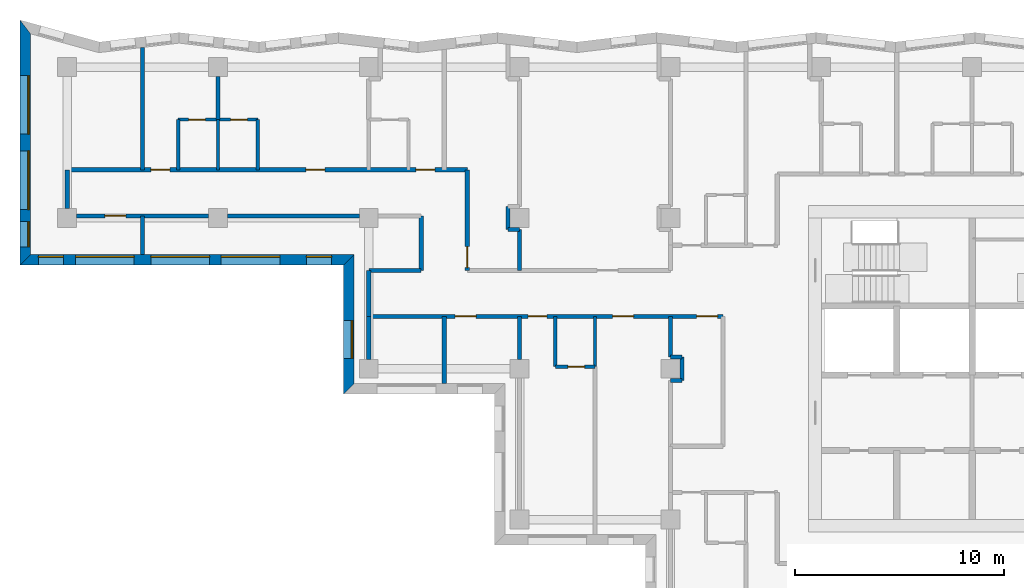
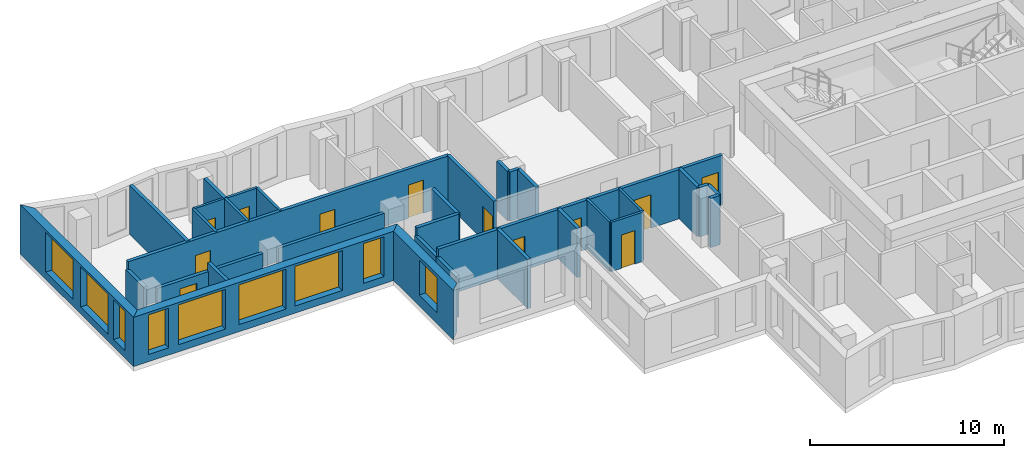
# One storey, part 4 of 12: 32 walls, 12 doors, 9 windows, 21 openings.
"""IFC4 building model written with IfcOpenShell, lengths in metres."""

from ifc_helpers import new_model, si_unit, direction, frame, frame_2d, origin, place, context, subcontext, project, spatial, polyline, rectangle, outline, extrude, material, layer, layer_set, type_object, element, fill, save


model = new_model("IFC4")

# Units and contexts
model_context = context("Model", 3, precision=1e-05, world=origin(), true_north=direction((0.0, 1.0)))
body_context = subcontext(model_context, "Body", "Model", "MODEL_VIEW")
ifc_project = project(units=[si_unit("LENGTHUNIT", "METRE"), si_unit("AREAUNIT", "SQUARE_METRE"), si_unit("VOLUMEUNIT", "CUBIC_METRE"), si_unit("PLANEANGLEUNIT", "RADIAN"), si_unit("MASSUNIT", "GRAM", prefix="KILO")], contexts=[model_context])

# Site, building, storey
site_placement = place(None, origin())
site = spatial("IfcSite", under=ifc_project, at=site_placement, CompositionType="ELEMENT")
building_placement = place(site_placement, origin())
building = spatial("IfcBuilding", under=site, at=building_placement, Name="Windrow Commons", CompositionType="ELEMENT")
storey_placement = place(building_placement, frame((0.0, 0.0, 152.4)))
storey = spatial("IfcBuildingStorey", under=building, at=storey_placement, Name="L41", CompositionType="ELEMENT", Elevation=152.4)

# Wall, openings, windows
ifc_material_1 = material(Name="Brick masonry, red clay brick", Category="masonry")
ifc_layer_1 = layer(ifc_material_1, 0.5)
ifc_layer_set_1 = layer_set([ifc_layer_1], Name="Brick facade wall 500")
wall_type_1 = type_object("IfcWallType", Name="Brick facade wall 500", PredefinedType="SOLIDWALL", material=ifc_layer_set_1)
wall_1_placement = place(storey_placement, frame((19.599, 73.9224, 0.0), z_axis=(0.0, 0.0, 1.0), x_axis=(0.0, -1.0, 0.0)))
wall_1 = element("IfcWall", 1, at=wall_1_placement, inside=storey, type_object=wall_type_1, Name="Brick facade wall L41 35", PredefinedType="SOLIDWALL", context=body_context, shape_type="SweptSolid", body=[
    extrude(outline(polyline([(-0.3286, -0.25), (11.3734, -0.25), (10.8734, 0.25), (0.3286, 0.25), (-0.3286, -0.25)])), origin(), (0.0, 0.0, 1.0), 3.1),
])
opening_1_placement = place(wall_1_placement, frame((2.3224, 0.0, 0.45)))
opening_1 = element("IfcOpeningElement", 2, at=opening_1_placement, cuts=wall_1, Name="Opening W1U", PredefinedType="OPENING", context=body_context, shape_type="SweptSolid", body=[
    extrude(rectangle(XDim=2.8, YDim=2.5, at=frame_2d((1.4, 1.25))), frame((0.0, 0.26, 0.0), z_axis=(0.0, -1.0, 0.0), x_axis=(1.0, 0.0, 0.0)), (0.0, 0.0, 1.0), 0.52),
])
opening_2_placement = place(wall_1_placement, frame((5.9224, 0.0, 0.45)))
opening_2 = element("IfcOpeningElement", 3, at=opening_2_placement, cuts=wall_1, Name="Opening W1U", PredefinedType="OPENING", context=body_context, shape_type="SweptSolid", body=[
    extrude(rectangle(XDim=2.8, YDim=2.5, at=frame_2d((1.4, 1.25))), frame((0.0, 0.26, 0.0), z_axis=(0.0, -1.0, 0.0), x_axis=(1.0, 0.0, 0.0)), (0.0, 0.0, 1.0), 0.52),
])
opening_3_placement = place(wall_1_placement, frame((9.2979, 0.0, 0.45)))
opening_3 = element("IfcOpeningElement", 4, at=opening_3_placement, cuts=wall_1, Name="Opening W7E", PredefinedType="OPENING", context=body_context, shape_type="SweptSolid", body=[
    extrude(rectangle(XDim=1.2, YDim=2.5, at=frame_2d((0.6, 1.25))), frame((0.0, 0.26, 0.0), z_axis=(0.0, -1.0, 0.0), x_axis=(1.0, 0.0, 0.0)), (0.0, 0.0, 1.0), 0.52),
])
ifc_material_2 = material(Name="Clear float glass in anodised aluminium frame", Category="aluminium")
window_type_1 = type_object("IfcWindowType", Name="Window W1U bedroom 2800x2500", PartitioningType="SINGLE_PANEL", PredefinedType="WINDOW", material=ifc_material_2)
window_1_placement = place(opening_1_placement, origin())
window_1 = element("IfcWindow", 5, at=window_1_placement, inside=storey, type_object=window_type_1, Name="Window L41 35.1", OverallHeight=2.5, OverallWidth=2.8, PartitioningType="SINGLE_PANEL", PredefinedType="WINDOW", context=body_context, shape_type="SweptSolid", body=[
    extrude(rectangle(XDim=2.8, YDim=2.5, at=frame_2d((1.4, 1.25))), frame((0.0, 0.18, 0.0), z_axis=(0.0, -1.0, 0.0), x_axis=(1.0, 0.0, 0.0)), (0.0, 0.0, 1.0), 0.06),
])
fill(opening_1, window_1)
window_2_placement = place(opening_2_placement, origin())
window_2 = element("IfcWindow", 6, at=window_2_placement, inside=storey, type_object=window_type_1, Name="Window L41 35.2", OverallHeight=2.5, OverallWidth=2.8, PartitioningType="SINGLE_PANEL", PredefinedType="WINDOW", context=body_context, shape_type="SweptSolid", body=[
    extrude(rectangle(XDim=2.8, YDim=2.5, at=frame_2d((1.4, 1.25))), frame((0.0, 0.18, 0.0), z_axis=(0.0, -1.0, 0.0), x_axis=(1.0, 0.0, 0.0)), (0.0, 0.0, 1.0), 0.06),
])
fill(opening_2, window_2)
ifc_material_3 = material(Name="Clear float glass in anodised aluminium frame", Category="aluminium")
window_type_2 = type_object("IfcWindowType", Name="Window W7 notch 1200x2500", PartitioningType="SINGLE_PANEL", PredefinedType="WINDOW", material=ifc_material_3)
window_3_placement = place(opening_3_placement, origin())
window_3 = element("IfcWindow", 7, at=window_3_placement, inside=storey, type_object=window_type_2, Name="Window L41 35.3", OverallHeight=2.5, OverallWidth=1.2, PartitioningType="SINGLE_PANEL", PredefinedType="WINDOW", context=body_context, shape_type="SweptSolid", body=[
    extrude(rectangle(XDim=1.2, YDim=2.5, at=frame_2d((0.6, 1.25))), frame((0.0, 0.18, 0.0), z_axis=(0.0, -1.0, 0.0), x_axis=(1.0, 0.0, 0.0)), (0.0, 0.0, 1.0), 0.06),
])
fill(opening_3, window_3)

wall_2_placement = place(storey_placement, frame((19.599, 62.799, 0.0), z_axis=(0.0, 0.0, 1.0), x_axis=(1.0, 0.0, 0.0)))
wall_2 = element("IfcWall", 8, at=wall_2_placement, inside=storey, type_object=wall_type_1, Name="Brick facade wall L41 36", PredefinedType="SOLIDWALL", context=body_context, shape_type="SweptSolid", body=[
    extrude(outline(polyline([(-0.25, -0.25), (15.201, -0.25), (15.701, 0.25), (0.25, 0.25), (-0.25, -0.25)])), origin(), (0.0, 0.0, 1.0), 3.1),
])
opening_4_placement = place(wall_2_placement, frame((2.401, 0.0, 0.45)))
opening_4 = element("IfcOpeningElement", 9, at=opening_4_placement, cuts=wall_2, Name="Opening W1U", PredefinedType="OPENING", context=body_context, shape_type="SweptSolid", body=[
    extrude(rectangle(XDim=2.8, YDim=2.5, at=frame_2d((1.4, 1.25))), frame((0.0, 0.26, 0.0), z_axis=(0.0, -1.0, 0.0), x_axis=(1.0, 0.0, 0.0)), (0.0, 0.0, 1.0), 0.52),
])
opening_5_placement = place(wall_2_placement, frame((6.001, 0.0, 0.45)))
opening_5 = element("IfcOpeningElement", 10, at=opening_5_placement, cuts=wall_2, Name="Opening W1U", PredefinedType="OPENING", context=body_context, shape_type="SweptSolid", body=[
    extrude(rectangle(XDim=2.8, YDim=2.5, at=frame_2d((1.4, 1.25))), frame((0.0, 0.26, 0.0), z_axis=(0.0, -1.0, 0.0), x_axis=(1.0, 0.0, 0.0)), (0.0, 0.0, 1.0), 0.52),
])
opening_6_placement = place(wall_2_placement, frame((9.351, 0.0, 0.45)))
opening_6 = element("IfcOpeningElement", 11, at=opening_6_placement, cuts=wall_2, Name="Opening W1U", PredefinedType="OPENING", context=body_context, shape_type="SweptSolid", body=[
    extrude(rectangle(XDim=2.8, YDim=2.5, at=frame_2d((1.4, 1.25))), frame((0.0, 0.26, 0.0), z_axis=(0.0, -1.0, 0.0), x_axis=(1.0, 0.0, 0.0)), (0.0, 0.0, 1.0), 0.52),
])
opening_7_placement = place(wall_2_placement, frame((0.6255, 0.0, 0.45)))
opening_7 = element("IfcOpeningElement", 12, at=opening_7_placement, cuts=wall_2, Name="Opening W7E", PredefinedType="OPENING", context=body_context, shape_type="SweptSolid", body=[
    extrude(rectangle(XDim=1.2, YDim=2.5, at=frame_2d((0.6, 1.25))), frame((0.0, 0.26, 0.0), z_axis=(0.0, -1.0, 0.0), x_axis=(1.0, 0.0, 0.0)), (0.0, 0.0, 1.0), 0.52),
])
opening_8_placement = place(wall_2_placement, frame((13.426, 0.0, 0.45)))
opening_8 = element("IfcOpeningElement", 13, at=opening_8_placement, cuts=wall_2, Name="Opening W7E", PredefinedType="OPENING", context=body_context, shape_type="SweptSolid", body=[
    extrude(rectangle(XDim=1.2, YDim=2.5, at=frame_2d((0.6, 1.25))), frame((0.0, 0.26, 0.0), z_axis=(0.0, -1.0, 0.0), x_axis=(1.0, 0.0, 0.0)), (0.0, 0.0, 1.0), 0.52),
])
window_4_placement = place(opening_4_placement, origin())
window_4 = element("IfcWindow", 14, at=window_4_placement, inside=storey, type_object=window_type_1, Name="Window L41 36.1", OverallHeight=2.5, OverallWidth=2.8, PartitioningType="SINGLE_PANEL", PredefinedType="WINDOW", context=body_context, shape_type="SweptSolid", body=[
    extrude(rectangle(XDim=2.8, YDim=2.5, at=frame_2d((1.4, 1.25))), frame((0.0, 0.18, 0.0), z_axis=(0.0, -1.0, 0.0), x_axis=(1.0, 0.0, 0.0)), (0.0, 0.0, 1.0), 0.06),
])
fill(opening_4, window_4)
window_5_placement = place(opening_5_placement, origin())
window_5 = element("IfcWindow", 15, at=window_5_placement, inside=storey, type_object=window_type_1, Name="Window L41 36.2", OverallHeight=2.5, OverallWidth=2.8, PartitioningType="SINGLE_PANEL", PredefinedType="WINDOW", context=body_context, shape_type="SweptSolid", body=[
    extrude(rectangle(XDim=2.8, YDim=2.5, at=frame_2d((1.4, 1.25))), frame((0.0, 0.18, 0.0), z_axis=(0.0, -1.0, 0.0), x_axis=(1.0, 0.0, 0.0)), (0.0, 0.0, 1.0), 0.06),
])
fill(opening_5, window_5)
window_6_placement = place(opening_6_placement, origin())
window_6 = element("IfcWindow", 16, at=window_6_placement, inside=storey, type_object=window_type_1, Name="Window L41 36.3", OverallHeight=2.5, OverallWidth=2.8, PartitioningType="SINGLE_PANEL", PredefinedType="WINDOW", context=body_context, shape_type="SweptSolid", body=[
    extrude(rectangle(XDim=2.8, YDim=2.5, at=frame_2d((1.4, 1.25))), frame((0.0, 0.18, 0.0), z_axis=(0.0, -1.0, 0.0), x_axis=(1.0, 0.0, 0.0)), (0.0, 0.0, 1.0), 0.06),
])
fill(opening_6, window_6)
window_7_placement = place(opening_7_placement, origin())
window_7 = element("IfcWindow", 17, at=window_7_placement, inside=storey, type_object=window_type_2, Name="Window L41 36.4", OverallHeight=2.5, OverallWidth=1.2, PartitioningType="SINGLE_PANEL", PredefinedType="WINDOW", context=body_context, shape_type="SweptSolid", body=[
    extrude(rectangle(XDim=1.2, YDim=2.5, at=frame_2d((0.6, 1.25))), frame((0.0, 0.18, 0.0), z_axis=(0.0, -1.0, 0.0), x_axis=(1.0, 0.0, 0.0)), (0.0, 0.0, 1.0), 0.06),
])
fill(opening_7, window_7)
window_8_placement = place(opening_8_placement, origin())
window_8 = element("IfcWindow", 18, at=window_8_placement, inside=storey, type_object=window_type_2, Name="Window L41 36.5", OverallHeight=2.5, OverallWidth=1.2, PartitioningType="SINGLE_PANEL", PredefinedType="WINDOW", context=body_context, shape_type="SweptSolid", body=[
    extrude(rectangle(XDim=1.2, YDim=2.5, at=frame_2d((0.6, 1.25))), frame((0.0, 0.18, 0.0), z_axis=(0.0, -1.0, 0.0), x_axis=(1.0, 0.0, 0.0)), (0.0, 0.0, 1.0), 0.06),
])
fill(opening_8, window_8)

# Wall, opening, window
wall_3_placement = place(storey_placement, frame((35.05, 62.799, 0.0), z_axis=(0.0, 0.0, 1.0), x_axis=(0.0, -1.0, 0.0)))
wall_3 = element("IfcWall", 19, at=wall_3_placement, inside=storey, type_object=wall_type_1, Name="Brick facade wall L41 37", PredefinedType="SOLIDWALL", context=body_context, shape_type="SweptSolid", body=[
    extrude(outline(polyline([(0.25, -0.25), (6.399, -0.25), (5.899, 0.25), (-0.25, 0.25), (0.25, -0.25)])), origin(), (0.0, 0.0, 1.0), 3.1),
])
opening_9_placement = place(wall_3_placement, frame((2.899, 0.0, 0.7)))
opening_9 = element("IfcOpeningElement", 20, at=opening_9_placement, cuts=wall_3, Name="Opening W6", PredefinedType="OPENING", context=body_context, shape_type="SweptSolid", body=[
    extrude(rectangle(XDim=1.8, YDim=2.2, at=frame_2d((0.9, 1.1))), frame((0.0, 0.26, 0.0), z_axis=(0.0, -1.0, 0.0), x_axis=(1.0, 0.0, 0.0)), (0.0, 0.0, 1.0), 0.52),
])
ifc_material_4 = material(Name="Clear float glass in anodised aluminium frame", Category="aluminium")
window_type_3 = type_object("IfcWindowType", Name="Window W6 crown 1800x2200", PartitioningType="SINGLE_PANEL", PredefinedType="WINDOW", material=ifc_material_4)
window_9_placement = place(opening_9_placement, origin())
window_9 = element("IfcWindow", 21, at=window_9_placement, inside=storey, type_object=window_type_3, Name="Window L41 37.1A", OverallHeight=2.2, OverallWidth=1.8, PartitioningType="SINGLE_PANEL", PredefinedType="WINDOW", context=body_context, shape_type="SweptSolid", body=[
    extrude(rectangle(XDim=1.8, YDim=2.2, at=frame_2d((0.9, 1.1))), frame((0.0, 0.18, 0.0), z_axis=(0.0, -1.0, 0.0), x_axis=(1.0, 0.0, 0.0)), (0.0, 0.0, 1.0), 0.06),
])
fill(opening_9, window_9)

# Wall, openings, doors
ifc_material_5 = material(Name="Blockwork partition", Category="masonry")
ifc_layer_2 = layer(ifc_material_5, 0.2)
ifc_layer_set_2 = layer_set([ifc_layer_2], Name="IW-CORRIDOR-200")
wall_type_2 = type_object("IfcWallType", Name="IW-CORRIDOR-200", PredefinedType="PARTITIONING", material=ifc_layer_set_2)
wall_4_placement = place(storey_placement, frame((21.602, 67.1, 0.0), z_axis=(0.0, 0.0, 1.0), x_axis=(1.0, 0.0, 0.0)))
wall_4 = element("IfcWall", 22, at=wall_4_placement, inside=storey, type_object=wall_type_2, Name="W-L41-W000", PredefinedType="PARTITIONING", context=body_context, shape_type="SweptSolid", body=[
    extrude(rectangle(XDim=19.098, YDim=0.2, at=frame_2d((9.549, 0.0))), origin(), (0.0, 0.0, 1.0), 3.1),
])
opening_10_placement = place(wall_4_placement, frame((3.998, 0.0, 0.0)))
opening_10 = element("IfcOpeningElement", 23, at=opening_10_placement, cuts=wall_4, Name="Opening D109S", PredefinedType="OPENING", context=body_context, shape_type="SweptSolid", body=[
    extrude(rectangle(XDim=0.9, YDim=2.1, at=frame_2d((0.45, 1.05))), frame((0.0, 0.11, 0.0), z_axis=(0.0, -1.0, 0.0), x_axis=(1.0, 0.0, 0.0)), (0.0, 0.0, 1.0), 0.22),
])
opening_11_placement = place(wall_4_placement, frame((11.3986, 0.0, 0.0)))
opening_11 = element("IfcOpeningElement", 24, at=opening_11_placement, cuts=wall_4, Name="Opening D109F", PredefinedType="OPENING", context=body_context, shape_type="SweptSolid", body=[
    extrude(rectangle(XDim=0.9, YDim=2.1, at=frame_2d((0.45, 1.05))), frame((0.0, 0.11, 0.0), z_axis=(0.0, -1.0, 0.0), x_axis=(1.0, 0.0, 0.0)), (0.0, 0.0, 1.0), 0.22),
])
opening_12_placement = place(wall_4_placement, frame((16.648, 0.0, 0.0)))
opening_12 = element("IfcOpeningElement", 25, at=opening_12_placement, cuts=wall_4, Name="Opening D109S", PredefinedType="OPENING", context=body_context, shape_type="SweptSolid", body=[
    extrude(rectangle(XDim=0.9, YDim=2.1, at=frame_2d((0.45, 1.05))), frame((0.0, 0.11, 0.0), z_axis=(0.0, -1.0, 0.0), x_axis=(1.0, 0.0, 0.0)), (0.0, 0.0, 1.0), 0.22),
])
ifc_material_6 = material(Name="Timber door leaf", Category="wood")
door_type_1 = type_object("IfcDoorType", Name="DT-BEDROOM-900", OperationType="SINGLE_SWING_LEFT", PredefinedType="DOOR", material=ifc_material_6)
door_1_placement = place(opening_10_placement, origin())
door_1 = element("IfcDoor", 26, at=door_1_placement, inside=storey, type_object=door_type_1, Name="D-L41-D002", OperationType="SINGLE_SWING_LEFT", OverallHeight=2.1, OverallWidth=0.9, PredefinedType="DOOR", context=body_context, shape_type="SweptSolid", body=[
    extrude(rectangle(XDim=0.9, YDim=2.1, at=frame_2d((0.45, 1.05))), frame((0.0, 0.025, 0.0), z_axis=(0.0, -1.0, 0.0), x_axis=(1.0, 0.0, 0.0)), (0.0, 0.0, 1.0), 0.05),
])
fill(opening_10, door_1)
door_2_placement = place(opening_11_placement, origin())
door_2 = element("IfcDoor", 27, at=door_2_placement, inside=storey, type_object=door_type_1, Name="D-L41-D004", OperationType="SINGLE_SWING_RIGHT", OverallHeight=2.1, OverallWidth=0.9, PredefinedType="DOOR", context=body_context, shape_type="SweptSolid", body=[
    extrude(rectangle(XDim=0.9, YDim=2.1, at=frame_2d((0.45, 1.05))), frame((0.0, 0.025, 0.0), z_axis=(0.0, -1.0, 0.0), x_axis=(1.0, 0.0, 0.0)), (0.0, 0.0, 1.0), 0.05),
])
fill(opening_11, door_2)
door_3_placement = place(opening_12_placement, origin())
door_3 = element("IfcDoor", 28, at=door_3_placement, inside=storey, type_object=door_type_1, Name="D-L41-D006", OperationType="SINGLE_SWING_RIGHT", OverallHeight=2.1, OverallWidth=0.9, PredefinedType="DOOR", context=body_context, shape_type="SweptSolid", body=[
    extrude(rectangle(XDim=0.9, YDim=2.1, at=frame_2d((0.45, 1.05))), frame((0.0, 0.025, 0.0), z_axis=(0.0, -1.0, 0.0), x_axis=(1.0, 0.0, 0.0)), (0.0, 0.0, 1.0), 0.05),
])
fill(opening_12, door_3)

wall_5_placement = place(storey_placement, frame((36.0, 60.1, 0.0), z_axis=(0.0, 0.0, 1.0), x_axis=(1.0, 0.0, 0.0)))
wall_5 = element("IfcWall", 29, at=wall_5_placement, inside=storey, type_object=wall_type_2, Name="W-L41-W003", PredefinedType="PARTITIONING", context=body_context, shape_type="SweptSolid", body=[
    extrude(rectangle(XDim=16.9, YDim=0.2, at=frame_2d((8.45, 0.0))), origin(), (0.0, 0.0, 1.0), 3.1),
])
opening_13_placement = place(wall_5_placement, frame((4.125, 0.0, 0.0)))
opening_13 = element("IfcOpeningElement", 30, at=opening_13_placement, cuts=wall_5, Name="Opening D310F", PredefinedType="OPENING", context=body_context, shape_type="SweptSolid", body=[
    extrude(rectangle(XDim=1.0, YDim=2.1, at=frame_2d((0.5, 1.05))), frame((0.0, 0.11, 0.0), z_axis=(0.0, -1.0, 0.0), x_axis=(1.0, 0.0, 0.0)), (0.0, 0.0, 1.0), 0.22),
])
opening_14_placement = place(wall_5_placement, frame((7.6, 0.0, 0.0)))
opening_14 = element("IfcOpeningElement", 31, at=opening_14_placement, cuts=wall_5, Name="Opening D109S", PredefinedType="OPENING", context=body_context, shape_type="SweptSolid", body=[
    extrude(rectangle(XDim=0.9, YDim=2.1, at=frame_2d((0.45, 1.05))), frame((0.0, 0.11, 0.0), z_axis=(0.0, -1.0, 0.0), x_axis=(1.0, 0.0, 0.0)), (0.0, 0.0, 1.0), 0.22),
])
opening_15_placement = place(wall_5_placement, frame((11.635, 0.0, 0.0)))
opening_15 = element("IfcOpeningElement", 32, at=opening_15_placement, cuts=wall_5, Name="Opening D310F", PredefinedType="OPENING", context=body_context, shape_type="SweptSolid", body=[
    extrude(rectangle(XDim=1.0, YDim=2.1, at=frame_2d((0.5, 1.05))), frame((0.0, 0.11, 0.0), z_axis=(0.0, -1.0, 0.0), x_axis=(1.0, 0.0, 0.0)), (0.0, 0.0, 1.0), 0.22),
])
opening_16_placement = place(wall_5_placement, frame((15.6524, 0.0, 0.0)))
opening_16 = element("IfcOpeningElement", 33, at=opening_16_placement, cuts=wall_5, Name="Opening D410F", PredefinedType="OPENING", context=body_context, shape_type="SweptSolid", body=[
    extrude(rectangle(XDim=1.0, YDim=2.1, at=frame_2d((0.5, 1.05))), frame((0.0, 0.11, 0.0), z_axis=(0.0, -1.0, 0.0), x_axis=(1.0, 0.0, 0.0)), (0.0, 0.0, 1.0), 0.22),
])
ifc_material_7 = material(Name="Timber door leaf", Category="wood")
door_type_2 = type_object("IfcDoorType", Name="DT-AMENITY-1000", OperationType="SINGLE_SWING_LEFT", PredefinedType="DOOR", material=ifc_material_7)
door_4_placement = place(opening_13_placement, origin())
door_4 = element("IfcDoor", 34, at=door_4_placement, inside=storey, type_object=door_type_2, Name="D-L41-D017", OperationType="SINGLE_SWING_RIGHT", OverallHeight=2.1, OverallWidth=1.0, PredefinedType="DOOR", context=body_context, shape_type="SweptSolid", body=[
    extrude(rectangle(XDim=1.0, YDim=2.1, at=frame_2d((0.5, 1.05))), frame((0.0, 0.025, 0.0), z_axis=(0.0, -1.0, 0.0), x_axis=(1.0, 0.0, 0.0)), (0.0, 0.0, 1.0), 0.05),
])
fill(opening_13, door_4)
door_5_placement = place(opening_15_placement, origin())
door_5 = element("IfcDoor", 35, at=door_5_placement, inside=storey, type_object=door_type_2, Name="D-L41-D022", OperationType="SINGLE_SWING_RIGHT", OverallHeight=2.1, OverallWidth=1.0, PredefinedType="DOOR", context=body_context, shape_type="SweptSolid", body=[
    extrude(rectangle(XDim=1.0, YDim=2.1, at=frame_2d((0.5, 1.05))), frame((0.0, 0.025, 0.0), z_axis=(0.0, -1.0, 0.0), x_axis=(1.0, 0.0, 0.0)), (0.0, 0.0, 1.0), 0.05),
])
fill(opening_15, door_5)
door_6_placement = place(opening_14_placement, origin())
door_6 = element("IfcDoor", 36, at=door_6_placement, inside=storey, type_object=door_type_1, Name="D-L41-D018", OperationType="SINGLE_SWING_LEFT", OverallHeight=2.1, OverallWidth=0.9, PredefinedType="DOOR", context=body_context, shape_type="SweptSolid", body=[
    extrude(rectangle(XDim=0.9, YDim=2.1, at=frame_2d((0.45, 1.05))), frame((0.0, 0.025, 0.0), z_axis=(0.0, -1.0, 0.0), x_axis=(1.0, 0.0, 0.0)), (0.0, 0.0, 1.0), 0.05),
])
fill(opening_14, door_6)
ifc_material_8 = material(Name="Timber door leaf", Category="wood")
door_type_3 = type_object("IfcDoorType", Name="DT-SERVICE-1000", OperationType="SINGLE_SWING_LEFT", PredefinedType="DOOR", material=ifc_material_8)
door_7_placement = place(opening_16_placement, origin())
door_7 = element("IfcDoor", 37, at=door_7_placement, inside=storey, type_object=door_type_3, Name="D-L41-D029", OperationType="SINGLE_SWING_LEFT", OverallHeight=2.1, OverallWidth=1.0, PredefinedType="DOOR", context=body_context, shape_type="SweptSolid", body=[
    extrude(rectangle(XDim=1.0, YDim=2.1, at=frame_2d((0.5, 1.05))), frame((0.0, 0.025, 0.0), z_axis=(0.0, -1.0, 0.0), x_axis=(1.0, 0.0, 0.0)), (0.0, 0.0, 1.0), 0.05),
])
fill(opening_16, door_7)

# Wall, opening, door
wall_6_placement = place(storey_placement, frame((22.05, 64.9, 0.0), z_axis=(0.0, 0.0, 1.0), x_axis=(1.0, 0.0, 0.0)))
wall_6 = element("IfcWall", 38, at=wall_6_placement, inside=storey, type_object=wall_type_2, Name="W-L41-W021", PredefinedType="PARTITIONING", context=body_context, shape_type="SweptSolid", body=[
    extrude(rectangle(XDim=6.3, YDim=0.2, at=frame_2d((3.15, 0.0))), origin(), (0.0, 0.0, 1.0), 2.6),
])
opening_17_placement = place(wall_6_placement, frame((1.3501, 0.0, 0.0)))
opening_17 = element("IfcOpeningElement", 39, at=opening_17_placement, cuts=wall_6, Name="Opening D310F", PredefinedType="OPENING", context=body_context, shape_type="SweptSolid", body=[
    extrude(rectangle(XDim=1.0, YDim=2.1, at=frame_2d((0.5, 1.05))), frame((0.0, 0.11, 0.0), z_axis=(0.0, -1.0, 0.0), x_axis=(1.0, 0.0, 0.0)), (0.0, 0.0, 1.0), 0.22),
])
door_8_placement = place(opening_17_placement, origin())
door_8 = element("IfcDoor", 40, at=door_8_placement, inside=storey, type_object=door_type_2, Name="D-L41-D001", OperationType="SINGLE_SWING_RIGHT", OverallHeight=2.1, OverallWidth=1.0, PredefinedType="DOOR", context=body_context, shape_type="SweptSolid", body=[
    extrude(rectangle(XDim=1.0, YDim=2.1, at=frame_2d((0.5, 1.05))), frame((0.0, 0.025, 0.0), z_axis=(0.0, -1.0, 0.0), x_axis=(1.0, 0.0, 0.0)), (0.0, 0.0, 1.0), 0.05),
])
fill(opening_17, door_8)

# Wall
wall_7_placement = place(storey_placement, frame((29.25, 64.9, 0.0), z_axis=(0.0, 0.0, 1.0), x_axis=(1.0, 0.0, 0.0)))
element("IfcWall", 41, at=wall_7_placement, inside=storey, type_object=wall_type_2, Name="W-L41-W022", PredefinedType="PARTITIONING", context=body_context, shape_type="SweptSolid", body=[
    extrude(rectangle(XDim=6.3, YDim=0.2, at=frame_2d((3.15, 0.0))), origin(), (0.0, 0.0, 1.0), 2.6),
])

# Wall, opening, door
wall_8_placement = place(storey_placement, frame((40.7, 62.302, 0.0), z_axis=(0.0, 0.0, 1.0), x_axis=(0.0, 1.0, 0.0)))
wall_8 = element("IfcWall", 42, at=wall_8_placement, inside=storey, type_object=wall_type_2, Name="W-L41-W040", PredefinedType="PARTITIONING", context=body_context, shape_type="SweptSolid", body=[
    extrude(rectangle(XDim=4.798, YDim=0.2, at=frame_2d((2.399, 0.0))), origin(), (0.0, 0.0, 1.0), 3.1),
])
opening_18_placement = place(wall_8_placement, frame((0.133, 0.0, 0.0)))
opening_18 = element("IfcOpeningElement", 43, at=opening_18_placement, cuts=wall_8, Name="Opening D310F", PredefinedType="OPENING", context=body_context, shape_type="SweptSolid", body=[
    extrude(rectangle(XDim=1.0, YDim=2.1, at=frame_2d((0.5, 1.05))), frame((0.0, 0.11, 0.0), z_axis=(0.0, -1.0, 0.0), x_axis=(1.0, 0.0, 0.0)), (0.0, 0.0, 1.0), 0.22),
])
door_9_placement = place(opening_18_placement, origin())
door_9 = element("IfcDoor", 44, at=door_9_placement, inside=storey, type_object=door_type_2, Name="D-L41-D020", OperationType="SINGLE_SWING_LEFT", OverallHeight=2.1, OverallWidth=1.0, PredefinedType="DOOR", context=body_context, shape_type="SweptSolid", body=[
    extrude(rectangle(XDim=1.0, YDim=2.1, at=frame_2d((0.5, 1.05))), frame((0.0, 0.025, 0.0), z_axis=(0.0, -1.0, 0.0), x_axis=(1.0, 0.0, 0.0)), (0.0, 0.0, 1.0), 0.05),
])
fill(opening_18, door_9)

# Walls
wall_9_placement = place(storey_placement, frame((38.5, 62.302, 0.0), z_axis=(0.0, 0.0, 1.0), x_axis=(0.0, 1.0, 0.0)))
element("IfcWall", 45, at=wall_9_placement, inside=storey, type_object=wall_type_2, Name="W-L41-W061", PredefinedType="PARTITIONING", context=body_context, shape_type="SweptSolid", body=[
    extrude(rectangle(XDim=2.598, YDim=0.2, at=frame_2d((1.299, 0.0))), origin(), (0.0, 0.0, 1.0), 3.1),
])
wall_10_placement = place(storey_placement, frame((36.0, 62.3, 0.0), z_axis=(0.0, 0.0, 1.0), x_axis=(1.0, 0.0, 0.0)))
element("IfcWall", 46, at=wall_10_placement, inside=storey, type_object=wall_type_2, Name="W-L41-W062", PredefinedType="PARTITIONING", context=body_context, shape_type="SweptSolid", body=[
    extrude(rectangle(XDim=2.5, YDim=0.2, at=frame_2d((1.25, 0.0))), origin(), (0.0, 0.0, 1.0), 3.1),
])
wall_11_placement = place(storey_placement, frame((36.0, 60.1, 0.0), z_axis=(0.0, 0.0, 1.0), x_axis=(0.0, 1.0, 0.0)))
element("IfcWall", 47, at=wall_11_placement, inside=storey, type_object=wall_type_2, Name="W-L41-W108", PredefinedType="PARTITIONING", context=body_context, shape_type="SweptSolid", body=[
    extrude(rectangle(XDim=2.2, YDim=0.2, at=frame_2d((1.1, 0.0))), origin(), (0.0, 0.0, 1.0), 2.6),
])
wall_12_placement = place(storey_placement, frame((21.6, 65.25, 0.0), z_axis=(0.0, 0.0, 1.0), x_axis=(0.0, 1.0, 0.0)))
element("IfcWall", 48, at=wall_12_placement, inside=storey, type_object=wall_type_2, Name="W-L41-W137", PredefinedType="PARTITIONING", context=body_context, shape_type="SweptSolid", body=[
    extrude(rectangle(XDim=1.848, YDim=0.2, at=frame_2d((0.924, 0.0))), origin(), (0.0, 0.0, 1.0), 2.6),
])

# Wall, openings, doors
ifc_material_9 = material(Name="Blockwork partition", Category="masonry")
ifc_layer_3 = layer(ifc_material_9, 0.15)
ifc_layer_set_3 = layer_set([ifc_layer_3], Name="IW-ENSUITE-150")
wall_type_3 = type_object("IfcWallType", Name="IW-ENSUITE-150", PredefinedType="PARTITIONING", material=ifc_layer_set_3)
wall_13_placement = place(storey_placement, frame((26.9, 69.5, 0.0), z_axis=(0.0, 0.0, 1.0), x_axis=(1.0, 0.0, 0.0)))
wall_13 = element("IfcWall", 49, at=wall_13_placement, inside=storey, type_object=wall_type_3, Name="W-L41-W047", PredefinedType="PARTITIONING", context=body_context, shape_type="SweptSolid", body=[
    extrude(rectangle(XDim=3.8, YDim=0.15, at=frame_2d((1.9, 0.0))), origin(), (0.0, 0.0, 1.0), 3.1),
])
opening_19_placement = place(wall_13_placement, frame((0.4931, 0.0, 0.0)))
opening_19 = element("IfcOpeningElement", 50, at=opening_19_placement, cuts=wall_13, Name="Opening D208N", PredefinedType="OPENING", context=body_context, shape_type="SweptSolid", body=[
    extrude(rectangle(XDim=0.8, YDim=2.1, at=frame_2d((0.4, 1.05))), frame((0.0, 0.085, 0.0), z_axis=(0.0, -1.0, 0.0), x_axis=(1.0, 0.0, 0.0)), (0.0, 0.0, 1.0), 0.17),
])
opening_20_placement = place(wall_13_placement, frame((2.5069, 0.0, 0.0)))
opening_20 = element("IfcOpeningElement", 51, at=opening_20_placement, cuts=wall_13, Name="Opening D208N", PredefinedType="OPENING", context=body_context, shape_type="SweptSolid", body=[
    extrude(rectangle(XDim=0.8, YDim=2.1, at=frame_2d((0.4, 1.05))), frame((0.0, 0.085, 0.0), z_axis=(0.0, -1.0, 0.0), x_axis=(1.0, 0.0, 0.0)), (0.0, 0.0, 1.0), 0.17),
])
ifc_material_10 = material(Name="Timber door leaf", Category="wood")
door_type_4 = type_object("IfcDoorType", Name="DT-ENSUITE-800", OperationType="SINGLE_SWING_LEFT", PredefinedType="DOOR", material=ifc_material_10)
door_10_placement = place(opening_19_placement, origin())
door_10 = element("IfcDoor", 52, at=door_10_placement, inside=storey, type_object=door_type_4, Name="D-L41-D003", OperationType="SINGLE_SWING_RIGHT", OverallHeight=2.1, OverallWidth=0.8, PredefinedType="DOOR", context=body_context, shape_type="SweptSolid", body=[
    extrude(rectangle(XDim=0.8, YDim=2.1, at=frame_2d((0.4, 1.05))), frame((0.0, 0.025, 0.0), z_axis=(0.0, -1.0, 0.0), x_axis=(1.0, 0.0, 0.0)), (0.0, 0.0, 1.0), 0.05),
])
fill(opening_19, door_10)
door_11_placement = place(opening_20_placement, origin())
door_11 = element("IfcDoor", 53, at=door_11_placement, inside=storey, type_object=door_type_4, Name="D-L41-D005", OperationType="SINGLE_SWING_RIGHT", OverallHeight=2.1, OverallWidth=0.8, PredefinedType="DOOR", context=body_context, shape_type="SweptSolid", body=[
    extrude(rectangle(XDim=0.8, YDim=2.1, at=frame_2d((0.4, 1.05))), frame((0.0, 0.025, 0.0), z_axis=(0.0, -1.0, 0.0), x_axis=(1.0, 0.0, 0.0)), (0.0, 0.0, 1.0), 0.05),
])
fill(opening_20, door_11)

# Walls
for number, where, z_axis, x_axis, name in (
    (54, (26.9, 67.1, 0.0), (0.0, 0.0, 1.0), (0.0, 1.0, 0.0), "W-L41-W071"),
    (55, (28.8, 67.1, 0.0), (0.0, 0.0, 1.0), (0.0, 1.0, 0.0), "W-L41-W072"),
    (56, (30.7, 67.1, 0.0), (0.0, 0.0, 1.0), (0.0, 1.0, 0.0), "W-L41-W073"),
    (57, (44.9, 57.7, 0.0), (0.0, 0.0, 1.0), (0.0, 1.0, 0.0), "W-L41-W082"),
    (58, (46.8, 57.7, 0.0), (0.0, 0.0, 1.0), (0.0, 1.0, 0.0), "W-L41-W083"),
):
    element("IfcWall", number, at=place(storey_placement, frame(where, z_axis=z_axis, x_axis=x_axis)), inside=storey, type_object=wall_type_3, Name=name, PredefinedType="PARTITIONING", context=body_context, shape_type="SweptSolid", body=[
        extrude(rectangle(XDim=2.4, YDim=0.15, at=frame_2d((1.2, 0.0))), origin(), (0.0, 0.0, 1.0), 3.1),
    ])

# Wall, opening, door
wall_14_placement = place(storey_placement, frame((44.9, 57.7, 0.0), z_axis=(0.0, 0.0, 1.0), x_axis=(1.0, 0.0, 0.0)))
wall_14 = element("IfcWall", 59, at=wall_14_placement, inside=storey, type_object=wall_type_3, Name="W-L41-W127", PredefinedType="PARTITIONING", context=body_context, shape_type="SweptSolid", body=[
    extrude(rectangle(XDim=1.9, YDim=0.15, at=frame_2d((0.95, 0.0))), origin(), (0.0, 0.0, 1.0), 3.1),
])
opening_21_placement = place(wall_14_placement, frame((0.5979, 0.0, 0.0)))
opening_21 = element("IfcOpeningElement", 60, at=opening_21_placement, cuts=wall_14, Name="Opening D208N", PredefinedType="OPENING", context=body_context, shape_type="SweptSolid", body=[
    extrude(rectangle(XDim=0.8, YDim=2.1, at=frame_2d((0.4, 1.05))), frame((0.0, 0.085, 0.0), z_axis=(0.0, -1.0, 0.0), x_axis=(1.0, 0.0, 0.0)), (0.0, 0.0, 1.0), 0.17),
])
door_12_placement = place(opening_21_placement, origin())
door_12 = element("IfcDoor", 61, at=door_12_placement, inside=storey, type_object=door_type_4, Name="D-L41-D019", OperationType="SINGLE_SWING_RIGHT", OverallHeight=2.1, OverallWidth=0.8, PredefinedType="DOOR", context=body_context, shape_type="SweptSolid", body=[
    extrude(rectangle(XDim=0.8, YDim=2.1, at=frame_2d((0.4, 1.05))), frame((0.0, 0.025, 0.0), z_axis=(0.0, -1.0, 0.0), x_axis=(1.0, 0.0, 0.0)), (0.0, 0.0, 1.0), 0.05),
])
fill(opening_21, door_12)

# Walls
ifc_material_11 = material(Name="Blockwork partition", Category="masonry")
ifc_layer_4 = layer(ifc_material_11, 0.2)
ifc_layer_set_4 = layer_set([ifc_layer_4], Name="IW-PARTY-200")
wall_type_4 = type_object("IfcWallType", Name="IW-PARTY-200", PredefinedType="PARTITIONING", material=ifc_layer_set_4)
wall_15_placement = place(storey_placement, frame((25.2, 67.1, 0.0), z_axis=(0.0, 0.0, 1.0), x_axis=(0.0, 1.0, 0.0)))
element("IfcWall", 62, at=wall_15_placement, inside=storey, type_object=wall_type_4, Name="W-L41-W031", PredefinedType="PARTITIONING", context=body_context, shape_type="SweptSolid", body=[
    extrude(rectangle(XDim=5.8401, YDim=0.2, at=frame_2d((2.92, 0.0))), origin(), (0.0, 0.0, 1.0), 3.1),
])
wall_16_placement = place(storey_placement, frame((39.6, 56.9, 0.0), z_axis=(0.0, 0.0, 1.0), x_axis=(0.0, 1.0, 0.0)))
element("IfcWall", 63, at=wall_16_placement, inside=storey, type_object=wall_type_4, Name="W-L41-W053", PredefinedType="PARTITIONING", context=body_context, shape_type="SweptSolid", body=[
    extrude(rectangle(XDim=3.2, YDim=0.2, at=frame_2d((1.6, 0.0))), origin(), (0.0, 0.0, 1.0), 3.1),
])
wall_17_placement = place(storey_placement, frame((36.0, 58.05, 0.0), z_axis=(0.0, 0.0, 1.0), x_axis=(0.0, 1.0, 0.0)))
element("IfcWall", 64, at=wall_17_placement, inside=storey, type_object=wall_type_4, Name="W-L41-W115", PredefinedType="PARTITIONING", context=body_context, shape_type="SweptSolid", body=[
    extrude(rectangle(XDim=2.05, YDim=0.2, at=frame_2d((1.025, 0.0))), origin(), (0.0, 0.0, 1.0), 2.6),
])
for number, where, z_axis, x_axis, name in (
    (65, (43.2, 58.05, 0.0), (0.0, 0.0, 1.0), (0.0, 1.0, 0.0), "W-L41-W116"),
    (66, (28.8, 69.5, 0.0), (0.0, 0.0, 1.0), (0.0, 1.0, 0.0), "W-L41-W118"),
):
    element("IfcWall", number, at=place(storey_placement, frame(where, z_axis=z_axis, x_axis=x_axis)), inside=storey, type_object=wall_type_4, Name=name, PredefinedType="PARTITIONING", context=body_context, shape_type="SweptSolid", body=[
        extrude(rectangle(XDim=2.05, YDim=0.2, at=frame_2d((1.025, 0.0))), origin(), (0.0, 0.0, 1.0), 3.1),
    ])
wall_18_placement = place(storey_placement, frame((43.2, 62.3, 0.0), z_axis=(0.0, 0.0, 1.0), x_axis=(0.0, 1.0, 0.0)))
element("IfcWall", 67, at=wall_18_placement, inside=storey, type_object=wall_type_4, Name="W-L41-W120", PredefinedType="PARTITIONING", context=body_context, shape_type="SweptSolid", body=[
    extrude(rectangle(XDim=1.946, YDim=0.2, at=frame_2d((0.973, 0.0))), origin(), (0.0, 0.0, 1.0), 3.1),
])
wall_19_placement = place(storey_placement, frame((50.4, 58.156, 0.0), z_axis=(0.0, 0.0, 1.0), x_axis=(0.0, 1.0, 0.0)))
element("IfcWall", 68, at=wall_19_placement, inside=storey, type_object=wall_type_4, Name="W-L41-W122", PredefinedType="PARTITIONING", context=body_context, shape_type="SweptSolid", body=[
    extrude(rectangle(XDim=1.944, YDim=0.2, at=frame_2d((0.972, 0.0))), origin(), (0.0, 0.0, 1.0), 3.1),
])
wall_20_placement = place(storey_placement, frame((25.2, 63.049, 0.0), z_axis=(0.0, 0.0, 1.0), x_axis=(0.0, 1.0, 0.0)))
element("IfcWall", 69, at=wall_20_placement, inside=storey, type_object=wall_type_4, Name="W-L41-W139", PredefinedType="PARTITIONING", context=body_context, shape_type="SweptSolid", body=[
    extrude(rectangle(XDim=1.851, YDim=0.2, at=frame_2d((0.9255, 0.0))), origin(), (0.0, 0.0, 1.0), 3.1),
])
wall_21_placement = place(storey_placement, frame((50.95, 57.044, 0.0), z_axis=(0.0, 0.0, 1.0), x_axis=(0.0, 1.0, 0.0)))
element("IfcWall", 70, at=wall_21_placement, inside=storey, type_object=wall_type_4, Name="W-L41-W151", PredefinedType="PARTITIONING", context=body_context, shape_type="SweptSolid", body=[
    extrude(rectangle(XDim=1.112, YDim=0.2, at=frame_2d((0.556, 0.0))), origin(), (0.0, 0.0, 1.0), 3.1),
])
wall_22_placement = place(storey_placement, frame((42.65, 64.246, 0.0), z_axis=(0.0, 0.0, 1.0), x_axis=(0.0, 1.0, 0.0)))
element("IfcWall", 71, at=wall_22_placement, inside=storey, type_object=wall_type_4, Name="W-L41-W152", PredefinedType="PARTITIONING", context=body_context, shape_type="SweptSolid", body=[
    extrude(rectangle(XDim=1.108, YDim=0.2, at=frame_2d((0.554, 0.0))), origin(), (0.0, 0.0, 1.0), 3.1),
])
for number, where, z_axis, x_axis, name in (
    (72, (42.65, 64.25, 0.0), (0.0, 0.0, 1.0), (1.0, 0.0, 0.0), "W-L41-W164"),
    (73, (50.4, 58.16, 0.0), (0.0, 0.0, 1.0), (1.0, 0.0, 0.0), "W-L41-W165"),
    (74, (50.4, 57.04, 0.0), (0.0, 0.0, 1.0), (1.0, 0.0, 0.0), "W-L41-W166"),
):
    element("IfcWall", number, at=place(storey_placement, frame(where, z_axis=z_axis, x_axis=x_axis)), inside=storey, type_object=wall_type_4, Name=name, PredefinedType="PARTITIONING", context=body_context, shape_type="SweptSolid", body=[
        extrude(rectangle(XDim=0.55, YDim=0.2, at=frame_2d((0.275, 0.0))), origin(), (0.0, 0.0, 1.0), 3.1),
    ])

save(model, "model.ifc")
